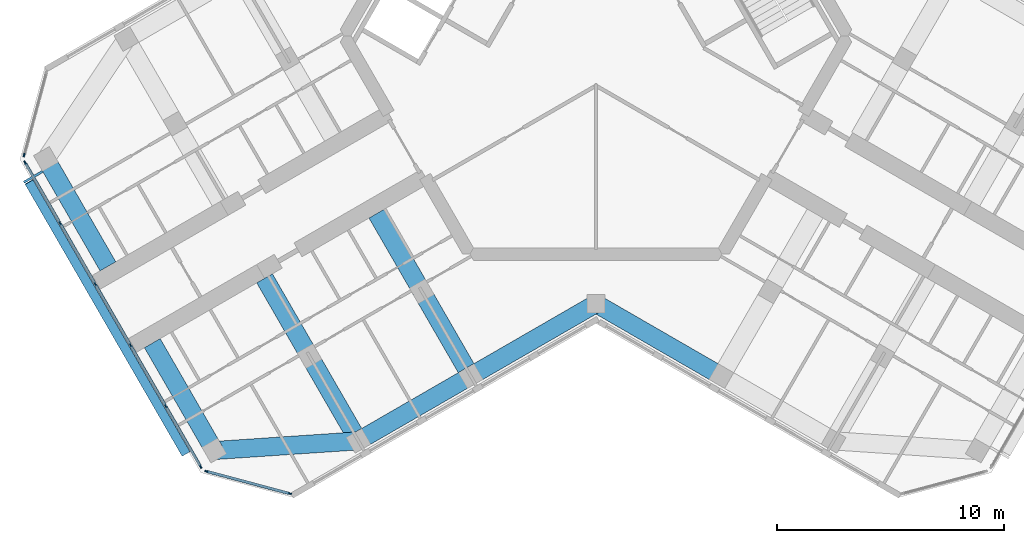
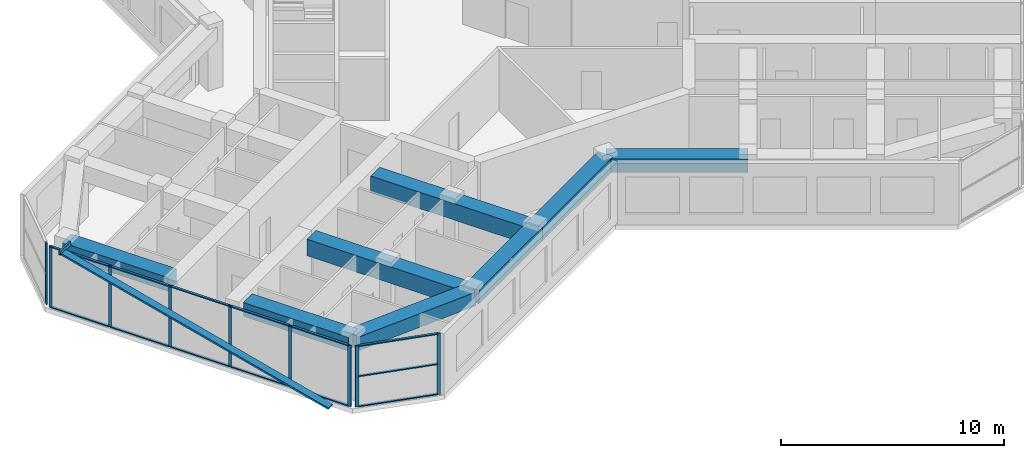
# One storey, part 2 of 14: 24 members, 8 beams, 3 elements without a shape of their own.
"""IFC4 building model written with IfcOpenShell, lengths in metres."""

from ifc_helpers import new_model, si_unit, direction, frame, origin, origin_2d, place, context, subcontext, project, spatial, rectangle, hollow_rectangle, extrude, material, material_profile, profile_set, type_object, element, aggregate, save


model = new_model("IFC4")

# Units and contexts
model_context = context("Model", 3, precision=1e-05, world=origin(), true_north=direction((0.0, 1.0)))
body_context = subcontext(model_context, "Body", "Model", "MODEL_VIEW")
ifc_project = project(units=[si_unit("LENGTHUNIT", "METRE"), si_unit("AREAUNIT", "SQUARE_METRE"), si_unit("VOLUMEUNIT", "CUBIC_METRE"), si_unit("PLANEANGLEUNIT", "RADIAN"), si_unit("MASSUNIT", "GRAM", prefix="KILO")], contexts=[model_context])

# Site, building, storey
site_placement = place(None, origin())
site = spatial("IfcSite", under=ifc_project, at=site_placement, CompositionType="ELEMENT")
building_placement = place(site_placement, origin())
building = spatial("IfcBuilding", under=site, at=building_placement, Name="Kosmar Iwan School Tower", CompositionType="ELEMENT")
storey_placement = place(building_placement, frame((0.0, 0.0, 274.60009765625)))
storey = spatial("IfcBuildingStorey", under=building, at=storey_placement, Name="L69", CompositionType="ELEMENT", Elevation=274.60009765625)

# Members
ifc_material_1 = material(Name="Black anodised aluminium", Category="aluminium")
ifc_material_profile_1 = material_profile(ifc_material_1, rectangle(XDim=0.10009765625, YDim=0.39990234375, at=origin_2d()), Name="FIN 100x400")
ifc_profile_set_1 = profile_set([ifc_material_profile_1], Name="Black anodised aluminium")
member_type_1 = type_object("IfcMemberType", Name="Diagonal fin 100x400", PredefinedType="USERDEFINED", material=ifc_profile_set_1)
member_1_placement = place(storey_placement, frame((-18.0283203125, -18.3740234375, -0.150146484375), z_axis=(-0.483800388566, 0.837965217343, 0.2524905514), x_axis=(0.126245460598, -0.218663124976, 0.96759935999)))
element("IfcMember", 1, at=member_1_placement, inside=storey, type_object=member_type_1, Name="Diagonal fin L69-F13", ObjectType="FIN", PredefinedType="USERDEFINED", context=body_context, shape_type="SweptSolid", body=[
    extrude(rectangle(XDim=0.10009765625, YDim=0.39990234375, at=origin_2d()), origin(), (0.0, 0.0, 1.0), 14.25830078125),
])
ifc_material_2 = material(Name="Steel S355", Category="steel")
ifc_material_profile_2 = material_profile(ifc_material_2, hollow_rectangle(XDim=0.10009765625, YDim=0.199951171875, WallThickness=0.008056640625, at=origin_2d()), Name="RHS 200x100x8")
ifc_profile_set_2 = profile_set([ifc_material_profile_2], Name="Steel S355")
member_type_2 = type_object("IfcMemberType", Name="Fin bracket RHS 200x100", PredefinedType="USERDEFINED", material=ifc_profile_set_2)
member_2_placement = place(storey_placement, frame((-24.327880859375, -5.962890625, 3.474853515625), z_axis=(-0.866100000774, -0.49987077196, 0.0), x_axis=(0.49987077196, -0.866100000774, 0.0)))
element("IfcMember", 2, at=member_2_placement, inside=storey, type_object=member_type_2, Name="Fin bracket L70", ObjectType="FIN BRACKET", PredefinedType="USERDEFINED", context=body_context, shape_type="SweptSolid", body=[
    extrude(hollow_rectangle(XDim=0.10009765625, YDim=0.199951171875, WallThickness=0.008056640625, at=origin_2d()), origin(), (0.0, 0.0, 1.0), 0.949951171875),
])

# Curtain wall, member
ifc_material_3 = material(Name="Dark glass in black aluminium frame", Category="aluminium")
curtain_wall_type_1 = type_object("IfcCurtainWallType", Name="Chamfer curtain wall dark glass", PredefinedType="USERDEFINED", material=ifc_material_3)
curtain_wall_1_placement = place(storey_placement, origin())
curtain_wall_1 = element("IfcCurtainWall", 3, at=curtain_wall_1_placement, inside=storey, type_object=curtain_wall_type_1, Name="Curtain wall L69-F12", ObjectType="FACETED CURTAIN WALL", PredefinedType="USERDEFINED")
ifc_material_4 = material(Name="Black anodised aluminium", Category="aluminium")
ifc_material_profile_3 = material_profile(ifc_material_4, rectangle(XDim=0.06005859375, YDim=0.159912109375, at=origin_2d()), Name="MULLION 60x160")
ifc_profile_set_3 = profile_set([ifc_material_profile_3], Name="Black anodised aluminium")
member_type_3 = type_object("IfcMemberType", Name="Mullion 60x160", PredefinedType="MULLION", material=ifc_profile_set_3)
member_3_placement = place(storey_placement, frame((-25.141845703125, -5.24853515625, 0.0), z_axis=(0.0, 0.0, 1.0), x_axis=(0.965925875495, -0.258818861462, 0.0)))
member_3 = element("IfcMember", 4, at=member_3_placement, type_object=member_type_3, Name="CW2 mullion 2", PredefinedType="MULLION", context=body_context, shape_type="SweptSolid", body=[
    extrude(rectangle(XDim=0.06005859375, YDim=0.159912109375, at=origin_2d()), origin(), (0.0, 0.0, 1.0), 3.349853515625),
])
aggregate(curtain_wall_1, [member_3])

# Curtain wall, members
ifc_material_5 = material(Name="Dark glass in black aluminium frame", Category="aluminium")
curtain_wall_type_2 = type_object("IfcCurtainWallType", Name="Tower curtain wall dark glass", PredefinedType="USERDEFINED", material=ifc_material_5)
curtain_wall_2_placement = place(storey_placement, origin())
curtain_wall_2 = element("IfcCurtainWall", 5, at=curtain_wall_2_placement, inside=storey, type_object=curtain_wall_type_2, Name="Curtain wall L69-F13", ObjectType="UNITISED CURTAIN WALL", PredefinedType="USERDEFINED")
member_4_placement = place(storey_placement, frame((-25.098388671875, -5.578369140625, 0.0), z_axis=(0.0, 0.0, 1.0), x_axis=(0.866025405329, 0.499999997325, 0.0)))
member_4 = element("IfcMember", 6, at=member_4_placement, type_object=member_type_3, Name="CW1 mullion 1", PredefinedType="MULLION", context=body_context, shape_type="SweptSolid", body=[
    extrude(rectangle(XDim=0.06005859375, YDim=0.159912109375, at=origin_2d()), origin(), (0.0, 0.0, 1.0), 3.349853515625),
])
member_5_placement = place(storey_placement, frame((-23.563720703125, -8.236328125, 0.0), z_axis=(0.0, 0.0, 1.0), x_axis=(0.866025405329, 0.499999997325, 0.0)))
member_5 = element("IfcMember", 7, at=member_5_placement, type_object=member_type_3, Name="CW1 mullion 2", PredefinedType="MULLION", context=body_context, shape_type="SweptSolid", body=[
    extrude(rectangle(XDim=0.06005859375, YDim=0.159912109375, at=origin_2d()), origin(), (0.0, 0.0, 1.0), 3.349853515625),
])
member_6_placement = place(storey_placement, frame((-22.01416015625, -10.92041015625, 0.0), z_axis=(0.0, 0.0, 1.0), x_axis=(0.866025405329, 0.499999997325, 0.0)))
member_6 = element("IfcMember", 8, at=member_6_placement, type_object=member_type_3, Name="CW1 mullion 3", PredefinedType="MULLION", context=body_context, shape_type="SweptSolid", body=[
    extrude(rectangle(XDim=0.06005859375, YDim=0.159912109375, at=origin_2d()), origin(), (0.0, 0.0, 1.0), 3.349853515625),
])
member_7_placement = place(storey_placement, frame((-20.46435546875, -13.6044921875, 0.0), z_axis=(0.0, 0.0, 1.0), x_axis=(0.866025405329, 0.499999997325, 0.0)))
member_7 = element("IfcMember", 9, at=member_7_placement, type_object=member_type_3, Name="CW1 mullion 4", PredefinedType="MULLION", context=body_context, shape_type="SweptSolid", body=[
    extrude(rectangle(XDim=0.06005859375, YDim=0.159912109375, at=origin_2d()), origin(), (0.0, 0.0, 1.0), 3.349853515625),
])
member_8_placement = place(storey_placement, frame((-18.914794921875, -16.28857421875, 0.0), z_axis=(0.0, 0.0, 1.0), x_axis=(0.866025405329, 0.499999997325, 0.0)))
member_8 = element("IfcMember", 10, at=member_8_placement, type_object=member_type_3, Name="CW1 mullion 5", PredefinedType="MULLION", context=body_context, shape_type="SweptSolid", body=[
    extrude(rectangle(XDim=0.06005859375, YDim=0.159912109375, at=origin_2d()), origin(), (0.0, 0.0, 1.0), 3.349853515625),
])
member_9_placement = place(storey_placement, frame((-17.380126953125, -18.94677734375, 0.0), z_axis=(0.0, 0.0, 1.0), x_axis=(0.866025405329, 0.499999997325, 0.0)))
member_9 = element("IfcMember", 11, at=member_9_placement, type_object=member_type_3, Name="CW1 mullion 6", PredefinedType="MULLION", context=body_context, shape_type="SweptSolid", body=[
    extrude(rectangle(XDim=0.06005859375, YDim=0.159912109375, at=origin_2d()), origin(), (0.0, 0.0, 1.0), 3.349853515625),
])

curtain_wall_3_placement = place(storey_placement, origin())
curtain_wall_3 = element("IfcCurtainWall", 12, at=curtain_wall_3_placement, inside=storey, type_object=curtain_wall_type_1, Name="Curtain wall L69-F14", ObjectType="FACETED CURTAIN WALL", PredefinedType="USERDEFINED")
member_10_placement = place(storey_placement, frame((-17.1162109375, -19.149169921875, 0.0), z_axis=(0.0, 0.0, 1.0), x_axis=(0.258818861462, 0.965925875495, 0.0)))
member_10 = element("IfcMember", 13, at=member_10_placement, type_object=member_type_3, Name="CW2 mullion 1", PredefinedType="MULLION", context=body_context, shape_type="SweptSolid", body=[
    extrude(rectangle(XDim=0.06005859375, YDim=0.159912109375, at=origin_2d()), origin(), (0.0, 0.0, 1.0), 3.349853515625),
])
member_11_placement = place(storey_placement, frame((-13.466064453125, -20.127197265625, 0.0), z_axis=(0.0, 0.0, 1.0), x_axis=(0.258818861462, 0.965925875495, 0.0)))
member_11 = element("IfcMember", 14, at=member_11_placement, type_object=member_type_3, Name="CW2 mullion 2", PredefinedType="MULLION", context=body_context, shape_type="SweptSolid", body=[
    extrude(rectangle(XDim=0.06005859375, YDim=0.159912109375, at=origin_2d()), origin(), (0.0, 0.0, 1.0), 3.349853515625),
])

# Beams
ifc_material_6 = material(Name="Concrete C50/60", Category="concrete")
ifc_material_profile_4 = material_profile(ifc_material_6, rectangle(XDim=0.800048828125, YDim=0.75, at=origin_2d()), Name="RC 800x750")
ifc_profile_set_4 = profile_set([ifc_material_profile_4], Name="Concrete C50/60")
beam_type_1 = type_object("IfcBeamType", Name="RC edge beam 800x750", PredefinedType="BEAM", material=ifc_profile_set_4)
beam_1_placement = place(storey_placement, frame((0.0, -11.77783203125, 2.974853515625), z_axis=(-0.866014293216, -0.500019243575, 0.0), x_axis=(0.500019243575, -0.866014293216, 0.0)))
element("IfcBeam", 15, at=beam_1_placement, inside=storey, type_object=beam_type_1, Name="Edge beam BL1", PredefinedType="BEAM", context=body_context, shape_type="SweptSolid", body=[
    extrude(rectangle(XDim=0.800048828125, YDim=0.75, at=origin_2d()), origin(), (0.0, 0.0, 1.0), 6.361083984375),
])
beam_2_placement = place(storey_placement, frame((-5.5087890625, -14.95849609375, 2.974853515625), z_axis=(-0.866033658841, -0.49998570155, 0.0), x_axis=(0.49998570155, -0.866033658841, 0.0)))
element("IfcBeam", 16, at=beam_2_placement, inside=storey, type_object=beam_type_1, Name="Edge beam BL2", PredefinedType="BEAM", context=body_context, shape_type="SweptSolid", body=[
    extrude(rectangle(XDim=0.800048828125, YDim=0.75, at=origin_2d()), origin(), (0.0, 0.0, 1.0), 5.699951171875),
])
beam_3_placement = place(storey_placement, frame((0.0, -11.77783203125, 2.974853515625), z_axis=(0.866014293216, -0.500019243575, 0.0), x_axis=(0.500019243575, 0.866014293216, 0.0)))
element("IfcBeam", 17, at=beam_3_placement, inside=storey, type_object=beam_type_1, Name="Edge beam CR1", PredefinedType="BEAM", context=body_context, shape_type="SweptSolid", body=[
    extrude(rectangle(XDim=0.800048828125, YDim=0.75, at=origin_2d()), origin(), (0.0, 0.0, 1.0), 6.361083984375),
])
ifc_material_7 = material(Name="Concrete C50/60", Category="concrete")
ifc_material_profile_5 = material_profile(ifc_material_7, rectangle(XDim=0.800048828125, YDim=0.75, at=origin_2d()), Name="RC 800x750")
ifc_profile_set_5 = profile_set([ifc_material_profile_5], Name="Concrete C50/60")
beam_type_2 = type_object("IfcBeamType", Name="RC tip beam 800x750", PredefinedType="BEAM", material=ifc_profile_set_5)
beam_4_placement = place(storey_placement, frame((-10.445068359375, -17.808349609375, 2.974853515625), z_axis=(-0.997755118724, -0.066968074933, 0.0), x_axis=(0.066968074933, -0.997755118724, 0.0)))
element("IfcBeam", 18, at=beam_4_placement, inside=storey, type_object=beam_type_2, Name="Tip beam BL", PredefinedType="BEAM", context=body_context, shape_type="SweptSolid", body=[
    extrude(rectangle(XDim=0.800048828125, YDim=0.75, at=origin_2d()), origin(), (0.0, 0.0, 1.0), 6.3505859375),
])
beam_5_placement = place(storey_placement, frame((-16.781494140625, -18.233642578125, 2.974853515625), z_axis=(-0.500002931134, 0.866023711487, 0.0), x_axis=(-0.866023711487, -0.500002931134, 0.0)))
element("IfcBeam", 19, at=beam_5_placement, inside=storey, type_object=beam_type_2, Name="Tip beam BL to corridor wall", PredefinedType="BEAM", context=body_context, shape_type="SweptSolid", body=[
    extrude(rectangle(XDim=0.800048828125, YDim=0.75, at=origin_2d()), origin(), (0.0, 0.0, 1.0), 5.4501953125),
])
beam_6_placement = place(storey_placement, frame((-24.181396484375, -5.41650390625, 2.974853515625), z_axis=(0.499988730927, -0.866031909889, 0.0), x_axis=(0.866031909889, 0.499988730927, 0.0)))
element("IfcBeam", 20, at=beam_6_placement, inside=storey, type_object=beam_type_2, Name="Tip beam BR to corridor wall", PredefinedType="BEAM", context=body_context, shape_type="SweptSolid", body=[
    extrude(rectangle(XDim=0.800048828125, YDim=0.75, at=origin_2d()), origin(), (0.0, 0.0, 1.0), 5.449951171875),
])
ifc_material_8 = material(Name="Concrete C50/60", Category="concrete")
ifc_material_profile_6 = material_profile(ifc_material_8, rectangle(XDim=0.800048828125, YDim=0.89990234375, at=origin_2d()), Name="RC 800x900")
ifc_profile_set_6 = profile_set([ifc_material_profile_6], Name="Concrete C50/60")
beam_type_3 = type_object("IfcBeamType", Name="RC transverse beam 800x900", PredefinedType="BEAM", material=ifc_profile_set_6)
beam_7_placement = place(storey_placement, frame((-5.5087890625, -14.95849609375, 2.89990234375), z_axis=(-0.499996545922, 0.866027397988, 0.0), x_axis=(-0.866027397988, -0.499996545922, 0.0)))
element("IfcBeam", 21, at=beam_7_placement, inside=storey, type_object=beam_type_3, Name="Transverse beam BL1", PredefinedType="BEAM", context=body_context, shape_type="SweptSolid", body=[
    extrude(rectangle(XDim=0.800048828125, YDim=0.89990234375, at=origin_2d()), origin(), (0.0, 0.0, 1.0), 8.25),
])
beam_8_placement = place(storey_placement, frame((-10.445068359375, -17.808349609375, 2.89990234375), z_axis=(-0.500009360108, 0.866019999656, 0.0), x_axis=(-0.866019999656, -0.500009360108, 0.0)))
element("IfcBeam", 22, at=beam_8_placement, inside=storey, type_object=beam_type_3, Name="Transverse beam BL2", PredefinedType="BEAM", context=body_context, shape_type="SweptSolid", body=[
    extrude(rectangle(XDim=0.800048828125, YDim=0.89990234375, at=origin_2d()), origin(), (0.0, 0.0, 1.0), 8.249755859375),
])

# Member
ifc_material_9 = material(Name="Black anodised aluminium", Category="aluminium")
ifc_material_profile_7 = material_profile(ifc_material_9, rectangle(XDim=0.1201171875, YDim=0.06005859375, at=origin_2d()), Name="TRANSOM 60x120")
ifc_profile_set_7 = profile_set([ifc_material_profile_7], Name="Black anodised aluminium")
member_type_4 = type_object("IfcMemberType", Name="Transom 60x120", PredefinedType="USERDEFINED", material=ifc_profile_set_7)
member_12_placement = place(storey_placement, frame((-25.08349609375, -5.604248046875, 0.02978515625), z_axis=(0.499986971506, -0.866032925658, 0.0), x_axis=(0.866032925658, 0.499986971506, 0.0)))
member_12 = element("IfcMember", 23, at=member_12_placement, type_object=member_type_4, Name="CW1 transom 1.1", ObjectType="TRANSOM", PredefinedType="USERDEFINED", context=body_context, shape_type="SweptSolid", body=[
    extrude(rectangle(XDim=0.1201171875, YDim=0.06005859375, at=origin_2d()), origin(), (0.0, 0.0, 1.0), 3.00927734375),
])

member_13_placement = place(storey_placement, frame((-25.08349609375, -5.604248046875, 3.31982421875), z_axis=(0.499986971506, -0.866032925658, 0.0), x_axis=(0.866032925658, 0.499986971506, 0.0)))
member_13 = element("IfcMember", 24, at=member_13_placement, type_object=member_type_4, Name="CW1 transom 1.2", ObjectType="TRANSOM", PredefinedType="USERDEFINED", context=body_context, shape_type="SweptSolid", body=[
    extrude(rectangle(XDim=0.1201171875, YDim=0.06005859375, at=origin_2d()), origin(), (0.0, 0.0, 1.0), 3.00927734375),
])

member_14_placement = place(storey_placement, frame((-23.548828125, -8.262451171875, 0.02978515625), z_axis=(0.500035348339, -0.866004994449, 0.0), x_axis=(0.866004994449, 0.500035348339, 0.0)))
member_14 = element("IfcMember", 25, at=member_14_placement, type_object=member_type_4, Name="CW1 transom 2.1", ObjectType="TRANSOM", PredefinedType="USERDEFINED", context=body_context, shape_type="SweptSolid", body=[
    extrude(rectangle(XDim=0.1201171875, YDim=0.06005859375, at=origin_2d()), origin(), (0.0, 0.0, 1.0), 3.039306640625),
])

member_15_placement = place(storey_placement, frame((-23.548828125, -8.262451171875, 3.31982421875), z_axis=(0.500035348339, -0.866004994449, 0.0), x_axis=(0.866004994449, 0.500035348339, 0.0)))
member_15 = element("IfcMember", 26, at=member_15_placement, type_object=member_type_4, Name="CW1 transom 2.2", ObjectType="TRANSOM", PredefinedType="USERDEFINED", context=body_context, shape_type="SweptSolid", body=[
    extrude(rectangle(XDim=0.1201171875, YDim=0.06005859375, at=origin_2d()), origin(), (0.0, 0.0, 1.0), 3.039306640625),
])

member_16_placement = place(storey_placement, frame((-21.9990234375, -10.946533203125, 0.02978515625), z_axis=(0.499975102327, -0.866039777986, 0.0), x_axis=(0.866039777986, 0.499975102327, 0.0)))
member_16 = element("IfcMember", 27, at=member_16_placement, type_object=member_type_4, Name="CW1 transom 3.1", ObjectType="TRANSOM", PredefinedType="USERDEFINED", context=body_context, shape_type="SweptSolid", body=[
    extrude(rectangle(XDim=0.1201171875, YDim=0.06005859375, at=origin_2d()), origin(), (0.0, 0.0, 1.0), 3.039306640625),
])

member_17_placement = place(storey_placement, frame((-21.9990234375, -10.946533203125, 3.31982421875), z_axis=(0.499975102327, -0.866039777986, 0.0), x_axis=(0.866039777986, 0.499975102327, 0.0)))
member_17 = element("IfcMember", 28, at=member_17_placement, type_object=member_type_4, Name="CW1 transom 3.2", ObjectType="TRANSOM", PredefinedType="USERDEFINED", context=body_context, shape_type="SweptSolid", body=[
    extrude(rectangle(XDim=0.1201171875, YDim=0.06005859375, at=origin_2d()), origin(), (0.0, 0.0, 1.0), 3.039306640625),
])

member_18_placement = place(storey_placement, frame((-20.449462890625, -13.630615234375, 0.02978515625), z_axis=(0.500035348339, -0.866004994449, 0.0), x_axis=(0.866004994449, 0.500035348339, 0.0)))
member_18 = element("IfcMember", 29, at=member_18_placement, type_object=member_type_4, Name="CW1 transom 4.1", ObjectType="TRANSOM", PredefinedType="USERDEFINED", context=body_context, shape_type="SweptSolid", body=[
    extrude(rectangle(XDim=0.1201171875, YDim=0.06005859375, at=origin_2d()), origin(), (0.0, 0.0, 1.0), 3.039306640625),
])

member_19_placement = place(storey_placement, frame((-20.449462890625, -13.630615234375, 3.31982421875), z_axis=(0.500035348339, -0.866004994449, 0.0), x_axis=(0.866004994449, 0.500035348339, 0.0)))
member_19 = element("IfcMember", 30, at=member_19_placement, type_object=member_type_4, Name="CW1 transom 4.2", ObjectType="TRANSOM", PredefinedType="USERDEFINED", context=body_context, shape_type="SweptSolid", body=[
    extrude(rectangle(XDim=0.1201171875, YDim=0.06005859375, at=origin_2d()), origin(), (0.0, 0.0, 1.0), 3.039306640625),
])

member_20_placement = place(storey_placement, frame((-18.89990234375, -16.314697265625, 0.02978515625), z_axis=(0.500022102064, -0.866012642776, 0.0), x_axis=(0.866012642776, 0.500022102064, 0.0)))
member_20 = element("IfcMember", 31, at=member_20_placement, type_object=member_type_4, Name="CW1 transom 5.1", ObjectType="TRANSOM", PredefinedType="USERDEFINED", context=body_context, shape_type="SweptSolid", body=[
    extrude(rectangle(XDim=0.1201171875, YDim=0.06005859375, at=origin_2d()), origin(), (0.0, 0.0, 1.0), 3.009033203125),
])

member_21_placement = place(storey_placement, frame((-18.89990234375, -16.314697265625, 3.31982421875), z_axis=(0.500022102064, -0.866012642776, 0.0), x_axis=(0.866012642776, 0.500022102064, 0.0)))
member_21 = element("IfcMember", 32, at=member_21_placement, type_object=member_type_4, Name="CW1 transom 5.2", ObjectType="TRANSOM", PredefinedType="USERDEFINED", context=body_context, shape_type="SweptSolid", body=[
    extrude(rectangle(XDim=0.1201171875, YDim=0.06005859375, at=origin_2d()), origin(), (0.0, 0.0, 1.0), 3.009033203125),
])

aggregate(curtain_wall_2, [member_4, member_5, member_6, member_7, member_8, member_9, member_12, member_13, member_14, member_15, member_16, member_17, member_18, member_19, member_20, member_21])

member_22_placement = place(storey_placement, frame((-17.08740234375, -19.156982421875, 0.02978515625), z_axis=(0.965940141052, -0.258765615768, 0.0), x_axis=(0.258765615768, 0.965940141052, 0.0)))
member_22 = element("IfcMember", 33, at=member_22_placement, type_object=member_type_4, Name="CW2 transom 1.1", ObjectType="TRANSOM", PredefinedType="USERDEFINED", context=body_context, shape_type="SweptSolid", body=[
    extrude(rectangle(XDim=0.1201171875, YDim=0.06005859375, at=origin_2d()), origin(), (0.0, 0.0, 1.0), 3.71923828125),
])

member_23_placement = place(storey_placement, frame((-17.08740234375, -19.156982421875, 1.6748046875), z_axis=(0.965940141052, -0.258765615768, 0.0), x_axis=(0.258765615768, 0.965940141052, 0.0)))
member_23 = element("IfcMember", 34, at=member_23_placement, type_object=member_type_4, Name="CW2 transom 1.2", ObjectType="TRANSOM", PredefinedType="USERDEFINED", context=body_context, shape_type="SweptSolid", body=[
    extrude(rectangle(XDim=0.1201171875, YDim=0.06005859375, at=origin_2d()), origin(), (0.0, 0.0, 1.0), 3.71923828125),
])

member_24_placement = place(storey_placement, frame((-17.08740234375, -19.156982421875, 3.31982421875), z_axis=(0.965940141052, -0.258765615768, 0.0), x_axis=(0.258765615768, 0.965940141052, 0.0)))
member_24 = element("IfcMember", 35, at=member_24_placement, type_object=member_type_4, Name="CW2 transom 1.3", ObjectType="TRANSOM", PredefinedType="USERDEFINED", context=body_context, shape_type="SweptSolid", body=[
    extrude(rectangle(XDim=0.1201171875, YDim=0.06005859375, at=origin_2d()), origin(), (0.0, 0.0, 1.0), 3.71923828125),
])

aggregate(curtain_wall_3, [member_10, member_11, member_22, member_23, member_24])

save(model, "model.ifc")
